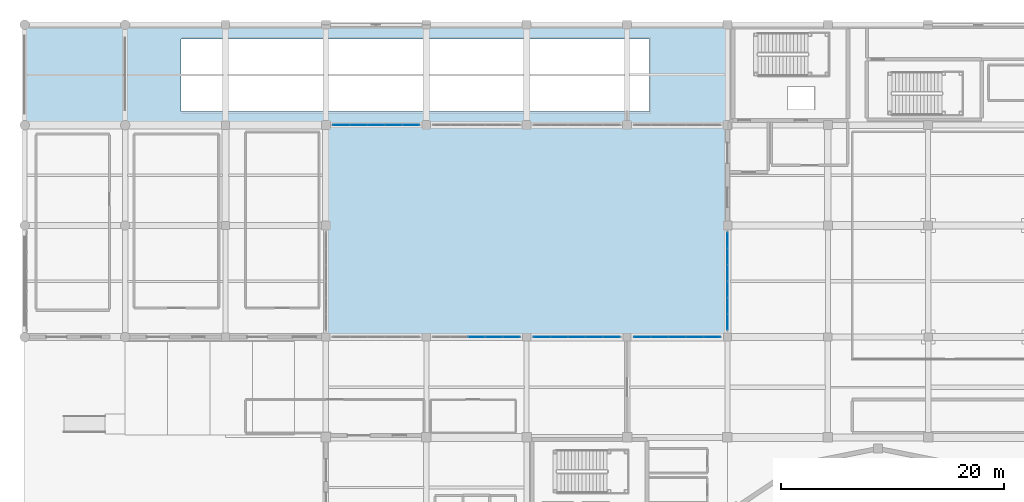
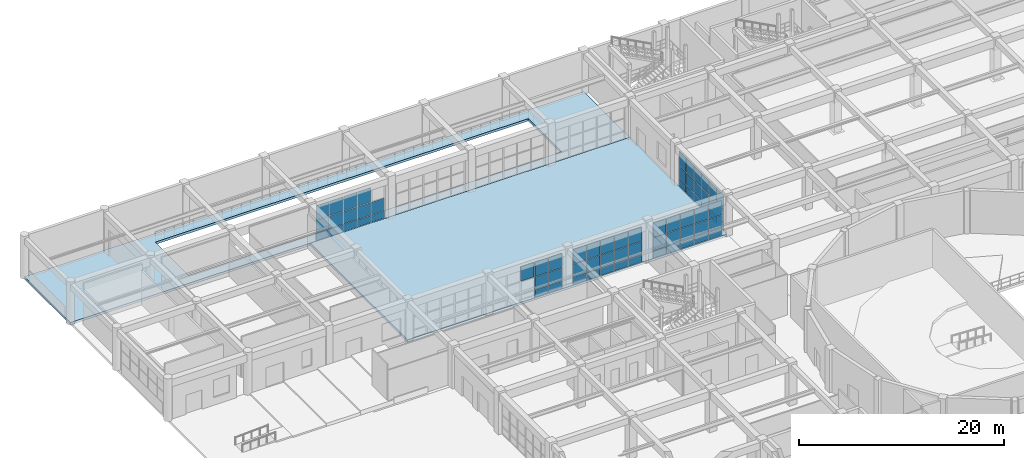
# One storey, part 90 of 128: 69 plates, 2 slabs, 5 elements without a shape of their own.
"""IFC4 building model written with IfcOpenShell, lengths in metres."""

from ifc_helpers import new_model, si_unit, direction, frame, origin, origin_2d, place, context, subcontext, project, spatial, polyline, rectangle, outline, extrude, material, layer, layer_set, type_object, element, aggregate, save


model = new_model("IFC4")

# Units and contexts
model_context = context("Model", 3, precision=1e-05, world=origin(), true_north=direction((0.0, 1.0)))
body_context = subcontext(model_context, "Body", "Model", "MODEL_VIEW")
ifc_project = project(units=[si_unit("LENGTHUNIT", "METRE"), si_unit("AREAUNIT", "SQUARE_METRE"), si_unit("VOLUMEUNIT", "CUBIC_METRE"), si_unit("PLANEANGLEUNIT", "RADIAN"), si_unit("MASSUNIT", "GRAM", prefix="KILO")], contexts=[model_context])

# Site, building, storey
site_placement = place(None, origin())
site = spatial("IfcSite", under=ifc_project, at=site_placement, CompositionType="ELEMENT")
building_placement = place(site_placement, origin())
building = spatial("IfcBuilding", under=site, at=building_placement, Name="Miravela Opera House", CompositionType="ELEMENT")
storey_placement = place(building_placement, origin())
storey = spatial("IfcBuildingStorey", under=building, at=storey_placement, Name="L00", CompositionType="ELEMENT", Elevation=0.0)

# Curtain wall, plates
ifc_material_1 = material(Name="Anodised architectural bronze aluminium 6063-T6", Category="aluminium")
curtain_wall_type = type_object("IfcCurtainWallType", Name="ARC-CW-04", PredefinedType="NOTDEFINED", material=ifc_material_1)
curtain_wall_1_placement = place(storey_placement, origin())
curtain_wall_1 = element("IfcCurtainWall", 1, at=curtain_wall_1_placement, inside=storey, type_object=curtain_wall_type, Name="Courtyard Arcade Curtain Wall CW-L00-068", PredefinedType="NOTDEFINED")
ifc_material_2 = material(Name="Acoustic laminated low-E insulating glass", Category="glass")
ifc_layer_1 = layer(ifc_material_2, 0.028076171875)
ifc_layer_set_1 = layer_set([ifc_layer_1])
plate_type = type_object("IfcPlateType", Name="ARC-CWP-28", PredefinedType="CURTAIN_PANEL", material=ifc_layer_set_1)
plate_1_placement = place(storey_placement, frame((40.5, 84.0, 2.52392578125), z_axis=(0.0, 0.0, 1.0), x_axis=(1.0, 0.0, 0.0)))
plate_1 = element("IfcPlate", 2, at=plate_1_placement, type_object=plate_type, Name="CW-04 panel 3.3", PredefinedType="CURTAIN_PANEL", context=body_context, shape_type="SweptSolid", body=[
    extrude(rectangle(XDim=1.508056640625, YDim=0.028076171875, at=origin_2d()), origin(), (0.0, 0.0, 1.0), 1.716064453125),
])
plate_2_placement = place(storey_placement, frame((42.068115234375, 84.0, 0.06005859375), z_axis=(0.0, 0.0, 1.0), x_axis=(1.0, 0.0, 0.0)))
plate_2 = element("IfcPlate", 3, at=plate_2_placement, type_object=plate_type, Name="CW-04 panel 4.1", PredefinedType="CURTAIN_PANEL", context=body_context, shape_type="SweptSolid", body=[
    extrude(rectangle(XDim=1.508056640625, YDim=0.028076171875, at=origin_2d()), origin(), (0.0, 0.0, 1.0), 0.860107421875),
])
plate_3_placement = place(storey_placement, frame((42.068115234375, 84.0, 0.97998046875), z_axis=(0.0, 0.0, 1.0), x_axis=(1.0, 0.0, 0.0)))
plate_3 = element("IfcPlate", 4, at=plate_3_placement, type_object=plate_type, Name="CW-04 panel 4.2", PredefinedType="CURTAIN_PANEL", context=body_context, shape_type="SweptSolid", body=[
    extrude(rectangle(XDim=1.508056640625, YDim=0.028076171875, at=origin_2d()), origin(), (0.0, 0.0, 1.0), 1.48388671875),
])
plate_4_placement = place(storey_placement, frame((42.068115234375, 84.0, 2.52392578125), z_axis=(0.0, 0.0, 1.0), x_axis=(1.0, 0.0, 0.0)))
plate_4 = element("IfcPlate", 5, at=plate_4_placement, type_object=plate_type, Name="CW-04 panel 4.3", PredefinedType="CURTAIN_PANEL", context=body_context, shape_type="SweptSolid", body=[
    extrude(rectangle(XDim=1.508056640625, YDim=0.028076171875, at=origin_2d()), origin(), (0.0, 0.0, 1.0), 1.716064453125),
])
plate_5_placement = place(storey_placement, frame((43.62109375, 84.0, 0.06005859375), z_axis=(0.0, 0.0, 1.0), x_axis=(1.0, 0.0, 0.0)))
plate_5 = element("IfcPlate", 6, at=plate_5_placement, type_object=plate_type, Name="CW-04 panel 5.1", PredefinedType="CURTAIN_PANEL", context=body_context, shape_type="SweptSolid", body=[
    extrude(rectangle(XDim=1.47802734375, YDim=0.028076171875, at=origin_2d()), origin(), (0.0, 0.0, 1.0), 0.860107421875),
])
plate_6_placement = place(storey_placement, frame((43.62109375, 84.0, 0.97998046875), z_axis=(0.0, 0.0, 1.0), x_axis=(1.0, 0.0, 0.0)))
plate_6 = element("IfcPlate", 7, at=plate_6_placement, type_object=plate_type, Name="CW-04 panel 5.2", PredefinedType="CURTAIN_PANEL", context=body_context, shape_type="SweptSolid", body=[
    extrude(rectangle(XDim=1.47802734375, YDim=0.028076171875, at=origin_2d()), origin(), (0.0, 0.0, 1.0), 1.48388671875),
])
plate_7_placement = place(storey_placement, frame((43.62109375, 84.0, 2.52392578125), z_axis=(0.0, 0.0, 1.0), x_axis=(1.0, 0.0, 0.0)))
plate_7 = element("IfcPlate", 8, at=plate_7_placement, type_object=plate_type, Name="CW-04 panel 5.3", PredefinedType="CURTAIN_PANEL", context=body_context, shape_type="SweptSolid", body=[
    extrude(rectangle(XDim=1.47802734375, YDim=0.028076171875, at=origin_2d()), origin(), (0.0, 0.0, 1.0), 1.716064453125),
])
aggregate(curtain_wall_1, [plate_1, plate_2, plate_3, plate_4, plate_5, plate_6, plate_7])

curtain_wall_2_placement = place(storey_placement, origin())
curtain_wall_2 = element("IfcCurtainWall", 9, at=curtain_wall_2_placement, inside=storey, type_object=curtain_wall_type, Name="Courtyard Arcade Curtain Wall CW-L00-069", PredefinedType="NOTDEFINED")
plate_8_placement = place(storey_placement, frame((46.37890625, 84.0, 0.06005859375), z_axis=(0.0, 0.0, 1.0), x_axis=(1.0, 0.0, 0.0)))
plate_8 = element("IfcPlate", 10, at=plate_8_placement, type_object=plate_type, Name="CW-04 panel 1.1", PredefinedType="CURTAIN_PANEL", context=body_context, shape_type="SweptSolid", body=[
    extrude(rectangle(XDim=1.47802734375, YDim=0.028076171875, at=origin_2d()), origin(), (0.0, 0.0, 1.0), 0.860107421875),
])
plate_9_placement = place(storey_placement, frame((46.37890625, 84.0, 0.97998046875), z_axis=(0.0, 0.0, 1.0), x_axis=(1.0, 0.0, 0.0)))
plate_9 = element("IfcPlate", 11, at=plate_9_placement, type_object=plate_type, Name="CW-04 panel 1.2", PredefinedType="CURTAIN_PANEL", context=body_context, shape_type="SweptSolid", body=[
    extrude(rectangle(XDim=1.47802734375, YDim=0.028076171875, at=origin_2d()), origin(), (0.0, 0.0, 1.0), 1.48388671875),
])
plate_10_placement = place(storey_placement, frame((46.37890625, 84.0, 2.52392578125), z_axis=(0.0, 0.0, 1.0), x_axis=(1.0, 0.0, 0.0)))
plate_10 = element("IfcPlate", 12, at=plate_10_placement, type_object=plate_type, Name="CW-04 panel 1.3", PredefinedType="CURTAIN_PANEL", context=body_context, shape_type="SweptSolid", body=[
    extrude(rectangle(XDim=1.47802734375, YDim=0.028076171875, at=origin_2d()), origin(), (0.0, 0.0, 1.0), 1.716064453125),
])
plate_11_placement = place(storey_placement, frame((47.931884765625, 84.0, 0.06005859375), z_axis=(0.0, 0.0, 1.0), x_axis=(1.0, 0.0, 0.0)))
plate_11 = element("IfcPlate", 13, at=plate_11_placement, type_object=plate_type, Name="CW-04 panel 2.1", PredefinedType="CURTAIN_PANEL", context=body_context, shape_type="SweptSolid", body=[
    extrude(rectangle(XDim=1.508056640625, YDim=0.028076171875, at=origin_2d()), origin(), (0.0, 0.0, 1.0), 0.860107421875),
])
plate_12_placement = place(storey_placement, frame((47.931884765625, 84.0, 0.97998046875), z_axis=(0.0, 0.0, 1.0), x_axis=(1.0, 0.0, 0.0)))
plate_12 = element("IfcPlate", 14, at=plate_12_placement, type_object=plate_type, Name="CW-04 panel 2.2", PredefinedType="CURTAIN_PANEL", context=body_context, shape_type="SweptSolid", body=[
    extrude(rectangle(XDim=1.508056640625, YDim=0.028076171875, at=origin_2d()), origin(), (0.0, 0.0, 1.0), 1.48388671875),
])
plate_13_placement = place(storey_placement, frame((47.931884765625, 84.0, 2.52392578125), z_axis=(0.0, 0.0, 1.0), x_axis=(1.0, 0.0, 0.0)))
plate_13 = element("IfcPlate", 15, at=plate_13_placement, type_object=plate_type, Name="CW-04 panel 2.3", PredefinedType="CURTAIN_PANEL", context=body_context, shape_type="SweptSolid", body=[
    extrude(rectangle(XDim=1.508056640625, YDim=0.028076171875, at=origin_2d()), origin(), (0.0, 0.0, 1.0), 1.716064453125),
])
plate_14_placement = place(storey_placement, frame((49.5, 84.0, 0.06005859375), z_axis=(0.0, 0.0, 1.0), x_axis=(1.0, 0.0, 0.0)))
plate_14 = element("IfcPlate", 16, at=plate_14_placement, type_object=plate_type, Name="CW-04 panel 3.1", PredefinedType="CURTAIN_PANEL", context=body_context, shape_type="SweptSolid", body=[
    extrude(rectangle(XDim=1.508056640625, YDim=0.028076171875, at=origin_2d()), origin(), (0.0, 0.0, 1.0), 0.860107421875),
])
plate_15_placement = place(storey_placement, frame((49.5, 84.0, 0.97998046875), z_axis=(0.0, 0.0, 1.0), x_axis=(1.0, 0.0, 0.0)))
plate_15 = element("IfcPlate", 17, at=plate_15_placement, type_object=plate_type, Name="CW-04 panel 3.2", PredefinedType="CURTAIN_PANEL", context=body_context, shape_type="SweptSolid", body=[
    extrude(rectangle(XDim=1.508056640625, YDim=0.028076171875, at=origin_2d()), origin(), (0.0, 0.0, 1.0), 1.48388671875),
])
plate_16_placement = place(storey_placement, frame((49.5, 84.0, 2.52392578125), z_axis=(0.0, 0.0, 1.0), x_axis=(1.0, 0.0, 0.0)))
plate_16 = element("IfcPlate", 18, at=plate_16_placement, type_object=plate_type, Name="CW-04 panel 3.3", PredefinedType="CURTAIN_PANEL", context=body_context, shape_type="SweptSolid", body=[
    extrude(rectangle(XDim=1.508056640625, YDim=0.028076171875, at=origin_2d()), origin(), (0.0, 0.0, 1.0), 1.716064453125),
])
plate_17_placement = place(storey_placement, frame((51.068115234375, 84.0, 0.06005859375), z_axis=(0.0, 0.0, 1.0), x_axis=(1.0, 0.0, 0.0)))
plate_17 = element("IfcPlate", 19, at=plate_17_placement, type_object=plate_type, Name="CW-04 panel 4.1", PredefinedType="CURTAIN_PANEL", context=body_context, shape_type="SweptSolid", body=[
    extrude(rectangle(XDim=1.508056640625, YDim=0.028076171875, at=origin_2d()), origin(), (0.0, 0.0, 1.0), 0.860107421875),
])
plate_18_placement = place(storey_placement, frame((51.068115234375, 84.0, 0.97998046875), z_axis=(0.0, 0.0, 1.0), x_axis=(1.0, 0.0, 0.0)))
plate_18 = element("IfcPlate", 20, at=plate_18_placement, type_object=plate_type, Name="CW-04 panel 4.2", PredefinedType="CURTAIN_PANEL", context=body_context, shape_type="SweptSolid", body=[
    extrude(rectangle(XDim=1.508056640625, YDim=0.028076171875, at=origin_2d()), origin(), (0.0, 0.0, 1.0), 1.48388671875),
])
plate_19_placement = place(storey_placement, frame((51.068115234375, 84.0, 2.52392578125), z_axis=(0.0, 0.0, 1.0), x_axis=(1.0, 0.0, 0.0)))
plate_19 = element("IfcPlate", 21, at=plate_19_placement, type_object=plate_type, Name="CW-04 panel 4.3", PredefinedType="CURTAIN_PANEL", context=body_context, shape_type="SweptSolid", body=[
    extrude(rectangle(XDim=1.508056640625, YDim=0.028076171875, at=origin_2d()), origin(), (0.0, 0.0, 1.0), 1.716064453125),
])
plate_20_placement = place(storey_placement, frame((52.62109375, 84.0, 0.06005859375), z_axis=(0.0, 0.0, 1.0), x_axis=(1.0, 0.0, 0.0)))
plate_20 = element("IfcPlate", 22, at=plate_20_placement, type_object=plate_type, Name="CW-04 panel 5.1", PredefinedType="CURTAIN_PANEL", context=body_context, shape_type="SweptSolid", body=[
    extrude(rectangle(XDim=1.47802734375, YDim=0.028076171875, at=origin_2d()), origin(), (0.0, 0.0, 1.0), 0.860107421875),
])
plate_21_placement = place(storey_placement, frame((52.62109375, 84.0, 0.97998046875), z_axis=(0.0, 0.0, 1.0), x_axis=(1.0, 0.0, 0.0)))
plate_21 = element("IfcPlate", 23, at=plate_21_placement, type_object=plate_type, Name="CW-04 panel 5.2", PredefinedType="CURTAIN_PANEL", context=body_context, shape_type="SweptSolid", body=[
    extrude(rectangle(XDim=1.47802734375, YDim=0.028076171875, at=origin_2d()), origin(), (0.0, 0.0, 1.0), 1.48388671875),
])
plate_22_placement = place(storey_placement, frame((52.62109375, 84.0, 2.52392578125), z_axis=(0.0, 0.0, 1.0), x_axis=(1.0, 0.0, 0.0)))
plate_22 = element("IfcPlate", 24, at=plate_22_placement, type_object=plate_type, Name="CW-04 panel 5.3", PredefinedType="CURTAIN_PANEL", context=body_context, shape_type="SweptSolid", body=[
    extrude(rectangle(XDim=1.47802734375, YDim=0.028076171875, at=origin_2d()), origin(), (0.0, 0.0, 1.0), 1.716064453125),
])
aggregate(curtain_wall_2, [plate_8, plate_9, plate_10, plate_11, plate_12, plate_13, plate_14, plate_15, plate_16, plate_17, plate_18, plate_19, plate_20, plate_21, plate_22])

curtain_wall_3_placement = place(storey_placement, origin())
curtain_wall_3 = element("IfcCurtainWall", 25, at=curtain_wall_3_placement, inside=storey, type_object=curtain_wall_type, Name="Courtyard Arcade Curtain Wall CW-L00-070", PredefinedType="NOTDEFINED")
plate_23_placement = place(storey_placement, frame((55.37890625, 84.0, 0.06005859375), z_axis=(0.0, 0.0, 1.0), x_axis=(1.0, 0.0, 0.0)))
plate_23 = element("IfcPlate", 26, at=plate_23_placement, type_object=plate_type, Name="CW-04 panel 1.1", PredefinedType="CURTAIN_PANEL", context=body_context, shape_type="SweptSolid", body=[
    extrude(rectangle(XDim=1.47802734375, YDim=0.028076171875, at=origin_2d()), origin(), (0.0, 0.0, 1.0), 0.860107421875),
])
plate_24_placement = place(storey_placement, frame((55.37890625, 84.0, 0.97998046875), z_axis=(0.0, 0.0, 1.0), x_axis=(1.0, 0.0, 0.0)))
plate_24 = element("IfcPlate", 27, at=plate_24_placement, type_object=plate_type, Name="CW-04 panel 1.2", PredefinedType="CURTAIN_PANEL", context=body_context, shape_type="SweptSolid", body=[
    extrude(rectangle(XDim=1.47802734375, YDim=0.028076171875, at=origin_2d()), origin(), (0.0, 0.0, 1.0), 1.48388671875),
])
plate_25_placement = place(storey_placement, frame((55.37890625, 84.0, 2.52392578125), z_axis=(0.0, 0.0, 1.0), x_axis=(1.0, 0.0, 0.0)))
plate_25 = element("IfcPlate", 28, at=plate_25_placement, type_object=plate_type, Name="CW-04 panel 1.3", PredefinedType="CURTAIN_PANEL", context=body_context, shape_type="SweptSolid", body=[
    extrude(rectangle(XDim=1.47802734375, YDim=0.028076171875, at=origin_2d()), origin(), (0.0, 0.0, 1.0), 1.716064453125),
])
plate_26_placement = place(storey_placement, frame((56.931884765625, 84.0, 0.06005859375), z_axis=(0.0, 0.0, 1.0), x_axis=(1.0, 0.0, 0.0)))
plate_26 = element("IfcPlate", 29, at=plate_26_placement, type_object=plate_type, Name="CW-04 panel 2.1", PredefinedType="CURTAIN_PANEL", context=body_context, shape_type="SweptSolid", body=[
    extrude(rectangle(XDim=1.508056640625, YDim=0.028076171875, at=origin_2d()), origin(), (0.0, 0.0, 1.0), 0.860107421875),
])
plate_27_placement = place(storey_placement, frame((56.931884765625, 84.0, 0.97998046875), z_axis=(0.0, 0.0, 1.0), x_axis=(1.0, 0.0, 0.0)))
plate_27 = element("IfcPlate", 30, at=plate_27_placement, type_object=plate_type, Name="CW-04 panel 2.2", PredefinedType="CURTAIN_PANEL", context=body_context, shape_type="SweptSolid", body=[
    extrude(rectangle(XDim=1.508056640625, YDim=0.028076171875, at=origin_2d()), origin(), (0.0, 0.0, 1.0), 1.48388671875),
])
plate_28_placement = place(storey_placement, frame((56.931884765625, 84.0, 2.52392578125), z_axis=(0.0, 0.0, 1.0), x_axis=(1.0, 0.0, 0.0)))
plate_28 = element("IfcPlate", 31, at=plate_28_placement, type_object=plate_type, Name="CW-04 panel 2.3", PredefinedType="CURTAIN_PANEL", context=body_context, shape_type="SweptSolid", body=[
    extrude(rectangle(XDim=1.508056640625, YDim=0.028076171875, at=origin_2d()), origin(), (0.0, 0.0, 1.0), 1.716064453125),
])
plate_29_placement = place(storey_placement, frame((58.5, 84.0, 0.06005859375), z_axis=(0.0, 0.0, 1.0), x_axis=(1.0, 0.0, 0.0)))
plate_29 = element("IfcPlate", 32, at=plate_29_placement, type_object=plate_type, Name="CW-04 panel 3.1", PredefinedType="CURTAIN_PANEL", context=body_context, shape_type="SweptSolid", body=[
    extrude(rectangle(XDim=1.508056640625, YDim=0.028076171875, at=origin_2d()), origin(), (0.0, 0.0, 1.0), 0.860107421875),
])
plate_30_placement = place(storey_placement, frame((58.5, 84.0, 0.97998046875), z_axis=(0.0, 0.0, 1.0), x_axis=(1.0, 0.0, 0.0)))
plate_30 = element("IfcPlate", 33, at=plate_30_placement, type_object=plate_type, Name="CW-04 panel 3.2", PredefinedType="CURTAIN_PANEL", context=body_context, shape_type="SweptSolid", body=[
    extrude(rectangle(XDim=1.508056640625, YDim=0.028076171875, at=origin_2d()), origin(), (0.0, 0.0, 1.0), 1.48388671875),
])
plate_31_placement = place(storey_placement, frame((58.5, 84.0, 2.52392578125), z_axis=(0.0, 0.0, 1.0), x_axis=(1.0, 0.0, 0.0)))
plate_31 = element("IfcPlate", 34, at=plate_31_placement, type_object=plate_type, Name="CW-04 panel 3.3", PredefinedType="CURTAIN_PANEL", context=body_context, shape_type="SweptSolid", body=[
    extrude(rectangle(XDim=1.508056640625, YDim=0.028076171875, at=origin_2d()), origin(), (0.0, 0.0, 1.0), 1.716064453125),
])
plate_32_placement = place(storey_placement, frame((60.068115234375, 84.0, 0.06005859375), z_axis=(0.0, 0.0, 1.0), x_axis=(1.0, 0.0, 0.0)))
plate_32 = element("IfcPlate", 35, at=plate_32_placement, type_object=plate_type, Name="CW-04 panel 4.1", PredefinedType="CURTAIN_PANEL", context=body_context, shape_type="SweptSolid", body=[
    extrude(rectangle(XDim=1.508056640625, YDim=0.028076171875, at=origin_2d()), origin(), (0.0, 0.0, 1.0), 0.860107421875),
])
plate_33_placement = place(storey_placement, frame((60.068115234375, 84.0, 0.97998046875), z_axis=(0.0, 0.0, 1.0), x_axis=(1.0, 0.0, 0.0)))
plate_33 = element("IfcPlate", 36, at=plate_33_placement, type_object=plate_type, Name="CW-04 panel 4.2", PredefinedType="CURTAIN_PANEL", context=body_context, shape_type="SweptSolid", body=[
    extrude(rectangle(XDim=1.508056640625, YDim=0.028076171875, at=origin_2d()), origin(), (0.0, 0.0, 1.0), 1.48388671875),
])
plate_34_placement = place(storey_placement, frame((60.068115234375, 84.0, 2.52392578125), z_axis=(0.0, 0.0, 1.0), x_axis=(1.0, 0.0, 0.0)))
plate_34 = element("IfcPlate", 37, at=plate_34_placement, type_object=plate_type, Name="CW-04 panel 4.3", PredefinedType="CURTAIN_PANEL", context=body_context, shape_type="SweptSolid", body=[
    extrude(rectangle(XDim=1.508056640625, YDim=0.028076171875, at=origin_2d()), origin(), (0.0, 0.0, 1.0), 1.716064453125),
])
plate_35_placement = place(storey_placement, frame((61.62109375, 84.0, 0.06005859375), z_axis=(0.0, 0.0, 1.0), x_axis=(1.0, 0.0, 0.0)))
plate_35 = element("IfcPlate", 38, at=plate_35_placement, type_object=plate_type, Name="CW-04 panel 5.1", PredefinedType="CURTAIN_PANEL", context=body_context, shape_type="SweptSolid", body=[
    extrude(rectangle(XDim=1.47802734375, YDim=0.028076171875, at=origin_2d()), origin(), (0.0, 0.0, 1.0), 0.860107421875),
])
plate_36_placement = place(storey_placement, frame((61.62109375, 84.0, 0.97998046875), z_axis=(0.0, 0.0, 1.0), x_axis=(1.0, 0.0, 0.0)))
plate_36 = element("IfcPlate", 39, at=plate_36_placement, type_object=plate_type, Name="CW-04 panel 5.2", PredefinedType="CURTAIN_PANEL", context=body_context, shape_type="SweptSolid", body=[
    extrude(rectangle(XDim=1.47802734375, YDim=0.028076171875, at=origin_2d()), origin(), (0.0, 0.0, 1.0), 1.48388671875),
])
plate_37_placement = place(storey_placement, frame((61.62109375, 84.0, 2.52392578125), z_axis=(0.0, 0.0, 1.0), x_axis=(1.0, 0.0, 0.0)))
plate_37 = element("IfcPlate", 40, at=plate_37_placement, type_object=plate_type, Name="CW-04 panel 5.3", PredefinedType="CURTAIN_PANEL", context=body_context, shape_type="SweptSolid", body=[
    extrude(rectangle(XDim=1.47802734375, YDim=0.028076171875, at=origin_2d()), origin(), (0.0, 0.0, 1.0), 1.716064453125),
])
aggregate(curtain_wall_3, [plate_23, plate_24, plate_25, plate_26, plate_27, plate_28, plate_29, plate_30, plate_31, plate_32, plate_33, plate_34, plate_35, plate_36, plate_37])

curtain_wall_4_placement = place(storey_placement, origin())
curtain_wall_4 = element("IfcCurtainWall", 41, at=curtain_wall_4_placement, inside=storey, type_object=curtain_wall_type, Name="Courtyard Arcade Curtain Wall CW-L00-071", PredefinedType="NOTDEFINED")
plate_38_placement = place(storey_placement, frame((28.37890625, 103.0, 0.06005859375), z_axis=(0.0, 0.0, 1.0), x_axis=(1.0, 0.0, 0.0)))
plate_38 = element("IfcPlate", 42, at=plate_38_placement, type_object=plate_type, Name="CW-04 panel 1.1", PredefinedType="CURTAIN_PANEL", context=body_context, shape_type="SweptSolid", body=[
    extrude(rectangle(XDim=1.47802734375, YDim=0.028076171875, at=origin_2d()), origin(), (0.0, 0.0, 1.0), 0.860107421875),
])
plate_39_placement = place(storey_placement, frame((28.37890625, 103.0, 0.97998046875), z_axis=(0.0, 0.0, 1.0), x_axis=(1.0, 0.0, 0.0)))
plate_39 = element("IfcPlate", 43, at=plate_39_placement, type_object=plate_type, Name="CW-04 panel 1.2", PredefinedType="CURTAIN_PANEL", context=body_context, shape_type="SweptSolid", body=[
    extrude(rectangle(XDim=1.47802734375, YDim=0.028076171875, at=origin_2d()), origin(), (0.0, 0.0, 1.0), 1.48388671875),
])
plate_40_placement = place(storey_placement, frame((28.37890625, 103.0, 2.52392578125), z_axis=(0.0, 0.0, 1.0), x_axis=(1.0, 0.0, 0.0)))
plate_40 = element("IfcPlate", 44, at=plate_40_placement, type_object=plate_type, Name="CW-04 panel 1.3", PredefinedType="CURTAIN_PANEL", context=body_context, shape_type="SweptSolid", body=[
    extrude(rectangle(XDim=1.47802734375, YDim=0.028076171875, at=origin_2d()), origin(), (0.0, 0.0, 1.0), 1.716064453125),
])
plate_41_placement = place(storey_placement, frame((29.931884765625, 103.0, 0.06005859375), z_axis=(0.0, 0.0, 1.0), x_axis=(1.0, 0.0, 0.0)))
plate_41 = element("IfcPlate", 45, at=plate_41_placement, type_object=plate_type, Name="CW-04 panel 2.1", PredefinedType="CURTAIN_PANEL", context=body_context, shape_type="SweptSolid", body=[
    extrude(rectangle(XDim=1.508056640625, YDim=0.028076171875, at=origin_2d()), origin(), (0.0, 0.0, 1.0), 0.860107421875),
])
plate_42_placement = place(storey_placement, frame((29.931884765625, 103.0, 0.97998046875), z_axis=(0.0, 0.0, 1.0), x_axis=(1.0, 0.0, 0.0)))
plate_42 = element("IfcPlate", 46, at=plate_42_placement, type_object=plate_type, Name="CW-04 panel 2.2", PredefinedType="CURTAIN_PANEL", context=body_context, shape_type="SweptSolid", body=[
    extrude(rectangle(XDim=1.508056640625, YDim=0.028076171875, at=origin_2d()), origin(), (0.0, 0.0, 1.0), 1.48388671875),
])
plate_43_placement = place(storey_placement, frame((29.931884765625, 103.0, 2.52392578125), z_axis=(0.0, 0.0, 1.0), x_axis=(1.0, 0.0, 0.0)))
plate_43 = element("IfcPlate", 47, at=plate_43_placement, type_object=plate_type, Name="CW-04 panel 2.3", PredefinedType="CURTAIN_PANEL", context=body_context, shape_type="SweptSolid", body=[
    extrude(rectangle(XDim=1.508056640625, YDim=0.028076171875, at=origin_2d()), origin(), (0.0, 0.0, 1.0), 1.716064453125),
])
plate_44_placement = place(storey_placement, frame((31.5, 103.0, 0.06005859375), z_axis=(0.0, 0.0, 1.0), x_axis=(1.0, 0.0, 0.0)))
plate_44 = element("IfcPlate", 48, at=plate_44_placement, type_object=plate_type, Name="CW-04 panel 3.1", PredefinedType="CURTAIN_PANEL", context=body_context, shape_type="SweptSolid", body=[
    extrude(rectangle(XDim=1.508056640625, YDim=0.028076171875, at=origin_2d()), origin(), (0.0, 0.0, 1.0), 0.860107421875),
])
plate_45_placement = place(storey_placement, frame((31.5, 103.0, 0.97998046875), z_axis=(0.0, 0.0, 1.0), x_axis=(1.0, 0.0, 0.0)))
plate_45 = element("IfcPlate", 49, at=plate_45_placement, type_object=plate_type, Name="CW-04 panel 3.2", PredefinedType="CURTAIN_PANEL", context=body_context, shape_type="SweptSolid", body=[
    extrude(rectangle(XDim=1.508056640625, YDim=0.028076171875, at=origin_2d()), origin(), (0.0, 0.0, 1.0), 1.48388671875),
])
plate_46_placement = place(storey_placement, frame((31.5, 103.0, 2.52392578125), z_axis=(0.0, 0.0, 1.0), x_axis=(1.0, 0.0, 0.0)))
plate_46 = element("IfcPlate", 50, at=plate_46_placement, type_object=plate_type, Name="CW-04 panel 3.3", PredefinedType="CURTAIN_PANEL", context=body_context, shape_type="SweptSolid", body=[
    extrude(rectangle(XDim=1.508056640625, YDim=0.028076171875, at=origin_2d()), origin(), (0.0, 0.0, 1.0), 1.716064453125),
])
plate_47_placement = place(storey_placement, frame((33.068115234375, 103.0, 0.06005859375), z_axis=(0.0, 0.0, 1.0), x_axis=(1.0, 0.0, 0.0)))
plate_47 = element("IfcPlate", 51, at=plate_47_placement, type_object=plate_type, Name="CW-04 panel 4.1", PredefinedType="CURTAIN_PANEL", context=body_context, shape_type="SweptSolid", body=[
    extrude(rectangle(XDim=1.508056640625, YDim=0.028076171875, at=origin_2d()), origin(), (0.0, 0.0, 1.0), 0.860107421875),
])
plate_48_placement = place(storey_placement, frame((33.068115234375, 103.0, 0.97998046875), z_axis=(0.0, 0.0, 1.0), x_axis=(1.0, 0.0, 0.0)))
plate_48 = element("IfcPlate", 52, at=plate_48_placement, type_object=plate_type, Name="CW-04 panel 4.2", PredefinedType="CURTAIN_PANEL", context=body_context, shape_type="SweptSolid", body=[
    extrude(rectangle(XDim=1.508056640625, YDim=0.028076171875, at=origin_2d()), origin(), (0.0, 0.0, 1.0), 1.48388671875),
])
plate_49_placement = place(storey_placement, frame((33.068115234375, 103.0, 2.52392578125), z_axis=(0.0, 0.0, 1.0), x_axis=(1.0, 0.0, 0.0)))
plate_49 = element("IfcPlate", 53, at=plate_49_placement, type_object=plate_type, Name="CW-04 panel 4.3", PredefinedType="CURTAIN_PANEL", context=body_context, shape_type="SweptSolid", body=[
    extrude(rectangle(XDim=1.508056640625, YDim=0.028076171875, at=origin_2d()), origin(), (0.0, 0.0, 1.0), 1.716064453125),
])
plate_50_placement = place(storey_placement, frame((34.62109375, 103.0, 0.06005859375), z_axis=(0.0, 0.0, 1.0), x_axis=(1.0, 0.0, 0.0)))
plate_50 = element("IfcPlate", 54, at=plate_50_placement, type_object=plate_type, Name="CW-04 panel 5.1", PredefinedType="CURTAIN_PANEL", context=body_context, shape_type="SweptSolid", body=[
    extrude(rectangle(XDim=1.47802734375, YDim=0.028076171875, at=origin_2d()), origin(), (0.0, 0.0, 1.0), 0.860107421875),
])
plate_51_placement = place(storey_placement, frame((34.62109375, 103.0, 0.97998046875), z_axis=(0.0, 0.0, 1.0), x_axis=(1.0, 0.0, 0.0)))
plate_51 = element("IfcPlate", 55, at=plate_51_placement, type_object=plate_type, Name="CW-04 panel 5.2", PredefinedType="CURTAIN_PANEL", context=body_context, shape_type="SweptSolid", body=[
    extrude(rectangle(XDim=1.47802734375, YDim=0.028076171875, at=origin_2d()), origin(), (0.0, 0.0, 1.0), 1.48388671875),
])
aggregate(curtain_wall_4, [plate_38, plate_39, plate_40, plate_41, plate_42, plate_43, plate_44, plate_45, plate_46, plate_47, plate_48, plate_49, plate_50, plate_51])

curtain_wall_5_placement = place(storey_placement, origin())
curtain_wall_5 = element("IfcCurtainWall", 56, at=curtain_wall_5_placement, inside=storey, type_object=curtain_wall_type, Name="Courtyard Arcade Curtain Wall CW-L00-076", PredefinedType="NOTDEFINED")
plate_52_placement = place(storey_placement, frame((63.0, 85.331787109375, 0.06005859375), z_axis=(0.0, 0.0, 1.0), x_axis=(0.0, 1.0, 0.0)))
plate_52 = element("IfcPlate", 57, at=plate_52_placement, type_object=plate_type, Name="CW-04 panel 1.1", PredefinedType="CURTAIN_PANEL", context=body_context, shape_type="SweptSolid", body=[
    extrude(rectangle(XDim=1.38330078125, YDim=0.028076171875, at=origin_2d()), origin(), (0.0, 0.0, 1.0), 0.860107421875),
])
plate_53_placement = place(storey_placement, frame((63.0, 85.331787109375, 0.97998046875), z_axis=(0.0, 0.0, 1.0), x_axis=(0.0, 1.0, 0.0)))
plate_53 = element("IfcPlate", 58, at=plate_53_placement, type_object=plate_type, Name="CW-04 panel 1.2", PredefinedType="CURTAIN_PANEL", context=body_context, shape_type="SweptSolid", body=[
    extrude(rectangle(XDim=1.38330078125, YDim=0.028076171875, at=origin_2d()), origin(), (0.0, 0.0, 1.0), 1.48388671875),
])
plate_54_placement = place(storey_placement, frame((63.0, 85.331787109375, 2.52392578125), z_axis=(0.0, 0.0, 1.0), x_axis=(0.0, 1.0, 0.0)))
plate_54 = element("IfcPlate", 59, at=plate_54_placement, type_object=plate_type, Name="CW-04 panel 1.3", PredefinedType="CURTAIN_PANEL", context=body_context, shape_type="SweptSolid", body=[
    extrude(rectangle(XDim=1.38330078125, YDim=0.028076171875, at=origin_2d()), origin(), (0.0, 0.0, 1.0), 1.716064453125),
])
plate_55_placement = place(storey_placement, frame((63.0, 86.7900390625, 0.06005859375), z_axis=(0.0, 0.0, 1.0), x_axis=(0.0, 1.0, 0.0)))
plate_55 = element("IfcPlate", 60, at=plate_55_placement, type_object=plate_type, Name="CW-04 panel 2.1", PredefinedType="CURTAIN_PANEL", context=body_context, shape_type="SweptSolid", body=[
    extrude(rectangle(XDim=1.413330078125, YDim=0.028076171875, at=origin_2d()), origin(), (0.0, 0.0, 1.0), 0.860107421875),
])
plate_56_placement = place(storey_placement, frame((63.0, 86.7900390625, 0.97998046875), z_axis=(0.0, 0.0, 1.0), x_axis=(0.0, 1.0, 0.0)))
plate_56 = element("IfcPlate", 61, at=plate_56_placement, type_object=plate_type, Name="CW-04 panel 2.2", PredefinedType="CURTAIN_PANEL", context=body_context, shape_type="SweptSolid", body=[
    extrude(rectangle(XDim=1.413330078125, YDim=0.028076171875, at=origin_2d()), origin(), (0.0, 0.0, 1.0), 1.48388671875),
])
plate_57_placement = place(storey_placement, frame((63.0, 86.7900390625, 2.52392578125), z_axis=(0.0, 0.0, 1.0), x_axis=(0.0, 1.0, 0.0)))
plate_57 = element("IfcPlate", 62, at=plate_57_placement, type_object=plate_type, Name="CW-04 panel 2.3", PredefinedType="CURTAIN_PANEL", context=body_context, shape_type="SweptSolid", body=[
    extrude(rectangle(XDim=1.413330078125, YDim=0.028076171875, at=origin_2d()), origin(), (0.0, 0.0, 1.0), 1.716064453125),
])
plate_58_placement = place(storey_placement, frame((63.0, 88.263427734375, 0.06005859375), z_axis=(0.0, 0.0, 1.0), x_axis=(0.0, 1.0, 0.0)))
plate_58 = element("IfcPlate", 63, at=plate_58_placement, type_object=plate_type, Name="CW-04 panel 3.1", PredefinedType="CURTAIN_PANEL", context=body_context, shape_type="SweptSolid", body=[
    extrude(rectangle(XDim=1.413330078125, YDim=0.028076171875, at=origin_2d()), origin(), (0.0, 0.0, 1.0), 0.860107421875),
])
plate_59_placement = place(storey_placement, frame((63.0, 88.263427734375, 0.97998046875), z_axis=(0.0, 0.0, 1.0), x_axis=(0.0, 1.0, 0.0)))
plate_59 = element("IfcPlate", 64, at=plate_59_placement, type_object=plate_type, Name="CW-04 panel 3.2", PredefinedType="CURTAIN_PANEL", context=body_context, shape_type="SweptSolid", body=[
    extrude(rectangle(XDim=1.413330078125, YDim=0.028076171875, at=origin_2d()), origin(), (0.0, 0.0, 1.0), 1.48388671875),
])
plate_60_placement = place(storey_placement, frame((63.0, 88.263427734375, 2.52392578125), z_axis=(0.0, 0.0, 1.0), x_axis=(0.0, 1.0, 0.0)))
plate_60 = element("IfcPlate", 65, at=plate_60_placement, type_object=plate_type, Name="CW-04 panel 3.3", PredefinedType="CURTAIN_PANEL", context=body_context, shape_type="SweptSolid", body=[
    extrude(rectangle(XDim=1.413330078125, YDim=0.028076171875, at=origin_2d()), origin(), (0.0, 0.0, 1.0), 1.716064453125),
])
plate_61_placement = place(storey_placement, frame((63.0, 89.736572265625, 0.06005859375), z_axis=(0.0, 0.0, 1.0), x_axis=(0.0, 1.0, 0.0)))
plate_61 = element("IfcPlate", 66, at=plate_61_placement, type_object=plate_type, Name="CW-04 panel 4.1", PredefinedType="CURTAIN_PANEL", context=body_context, shape_type="SweptSolid", body=[
    extrude(rectangle(XDim=1.413330078125, YDim=0.028076171875, at=origin_2d()), origin(), (0.0, 0.0, 1.0), 0.860107421875),
])
plate_62_placement = place(storey_placement, frame((63.0, 89.736572265625, 0.97998046875), z_axis=(0.0, 0.0, 1.0), x_axis=(0.0, 1.0, 0.0)))
plate_62 = element("IfcPlate", 67, at=plate_62_placement, type_object=plate_type, Name="CW-04 panel 4.2", PredefinedType="CURTAIN_PANEL", context=body_context, shape_type="SweptSolid", body=[
    extrude(rectangle(XDim=1.413330078125, YDim=0.028076171875, at=origin_2d()), origin(), (0.0, 0.0, 1.0), 1.48388671875),
])
plate_63_placement = place(storey_placement, frame((63.0, 89.736572265625, 2.52392578125), z_axis=(0.0, 0.0, 1.0), x_axis=(0.0, 1.0, 0.0)))
plate_63 = element("IfcPlate", 68, at=plate_63_placement, type_object=plate_type, Name="CW-04 panel 4.3", PredefinedType="CURTAIN_PANEL", context=body_context, shape_type="SweptSolid", body=[
    extrude(rectangle(XDim=1.413330078125, YDim=0.028076171875, at=origin_2d()), origin(), (0.0, 0.0, 1.0), 1.716064453125),
])
plate_64_placement = place(storey_placement, frame((63.0, 91.2099609375, 0.06005859375), z_axis=(0.0, 0.0, 1.0), x_axis=(0.0, 1.0, 0.0)))
plate_64 = element("IfcPlate", 69, at=plate_64_placement, type_object=plate_type, Name="CW-04 panel 5.1", PredefinedType="CURTAIN_PANEL", context=body_context, shape_type="SweptSolid", body=[
    extrude(rectangle(XDim=1.413330078125, YDim=0.028076171875, at=origin_2d()), origin(), (0.0, 0.0, 1.0), 0.860107421875),
])
plate_65_placement = place(storey_placement, frame((63.0, 91.2099609375, 0.97998046875), z_axis=(0.0, 0.0, 1.0), x_axis=(0.0, 1.0, 0.0)))
plate_65 = element("IfcPlate", 70, at=plate_65_placement, type_object=plate_type, Name="CW-04 panel 5.2", PredefinedType="CURTAIN_PANEL", context=body_context, shape_type="SweptSolid", body=[
    extrude(rectangle(XDim=1.413330078125, YDim=0.028076171875, at=origin_2d()), origin(), (0.0, 0.0, 1.0), 1.48388671875),
])
plate_66_placement = place(storey_placement, frame((63.0, 91.2099609375, 2.52392578125), z_axis=(0.0, 0.0, 1.0), x_axis=(0.0, 1.0, 0.0)))
plate_66 = element("IfcPlate", 71, at=plate_66_placement, type_object=plate_type, Name="CW-04 panel 5.3", PredefinedType="CURTAIN_PANEL", context=body_context, shape_type="SweptSolid", body=[
    extrude(rectangle(XDim=1.413330078125, YDim=0.028076171875, at=origin_2d()), origin(), (0.0, 0.0, 1.0), 1.716064453125),
])
plate_67_placement = place(storey_placement, frame((63.0, 92.668212890625, 0.06005859375), z_axis=(0.0, 0.0, 1.0), x_axis=(0.0, 1.0, 0.0)))
plate_67 = element("IfcPlate", 72, at=plate_67_placement, type_object=plate_type, Name="CW-04 panel 6.1", PredefinedType="CURTAIN_PANEL", context=body_context, shape_type="SweptSolid", body=[
    extrude(rectangle(XDim=1.38330078125, YDim=0.028076171875, at=origin_2d()), origin(), (0.0, 0.0, 1.0), 0.860107421875),
])
plate_68_placement = place(storey_placement, frame((63.0, 92.668212890625, 0.97998046875), z_axis=(0.0, 0.0, 1.0), x_axis=(0.0, 1.0, 0.0)))
plate_68 = element("IfcPlate", 73, at=plate_68_placement, type_object=plate_type, Name="CW-04 panel 6.2", PredefinedType="CURTAIN_PANEL", context=body_context, shape_type="SweptSolid", body=[
    extrude(rectangle(XDim=1.38330078125, YDim=0.028076171875, at=origin_2d()), origin(), (0.0, 0.0, 1.0), 1.48388671875),
])
plate_69_placement = place(storey_placement, frame((63.0, 92.668212890625, 2.52392578125), z_axis=(0.0, 0.0, 1.0), x_axis=(0.0, 1.0, 0.0)))
plate_69 = element("IfcPlate", 74, at=plate_69_placement, type_object=plate_type, Name="CW-04 panel 6.3", PredefinedType="CURTAIN_PANEL", context=body_context, shape_type="SweptSolid", body=[
    extrude(rectangle(XDim=1.38330078125, YDim=0.028076171875, at=origin_2d()), origin(), (0.0, 0.0, 1.0), 1.716064453125),
])
aggregate(curtain_wall_5, [plate_52, plate_53, plate_54, plate_55, plate_56, plate_57, plate_58, plate_59, plate_60, plate_61, plate_62, plate_63, plate_64, plate_65, plate_66, plate_67, plate_68, plate_69])

# Slabs
ifc_material_3 = material(Name="Concrete C35/45", Category="concrete")
ifc_layer_2 = layer(ifc_material_3, 0.280029296875)
ifc_layer_set_2 = layer_set([ifc_layer_2])
slab_type_1 = type_object("IfcSlabType", Name="STR-SLAB-L00-280", PredefinedType="FLOOR", material=ifc_layer_set_2)
slab_1_placement = place(storey_placement, frame((0.0, 0.0, -0.280029296875)))
element("IfcSlab", 75, at=slab_1_placement, inside=storey, type_object=slab_type_1, Name="Ground Level Slab SLAB-L00-V5NR", PredefinedType="FLOOR", context=body_context, shape_type="SweptSolid", body=[
    extrude(outline(polyline([(0.0, 103.0), (63.0, 103.0), (63.0, 112.0), (0.0, 112.0), (0.0, 103.0)]), holes=[polyline([(14.0, 104.199951171875), (56.0, 104.199951171875), (56.0, 110.699951171875), (14.0, 110.699951171875), (14.0, 104.199951171875)])]), origin(), (0.0, 0.0, 1.0), 0.280029296875),
])
ifc_layer_3 = layer(ifc_material_3, 0.27001953125)
ifc_layer_set_3 = layer_set([ifc_layer_3])
slab_type_2 = type_object("IfcSlabType", Name="STR-SLAB-TERR-270", PredefinedType="FLOOR", material=ifc_layer_set_3)
slab_2_placement = place(storey_placement, frame((0.0, 0.0, -0.27001953125)))
element("IfcSlab", 76, at=slab_2_placement, inside=storey, type_object=slab_type_2, Name="Ground Level Slab SLAB-L00-EXT-COH", PredefinedType="FLOOR", context=body_context, shape_type="SweptSolid", body=[
    extrude(outline(polyline([(27.0, 84.0), (63.0, 84.0), (63.0, 103.0), (27.0, 103.0), (27.0, 84.0)])), origin(), (0.0, 0.0, 1.0), 0.27001953125),
])

save(model, "model.ifc")
